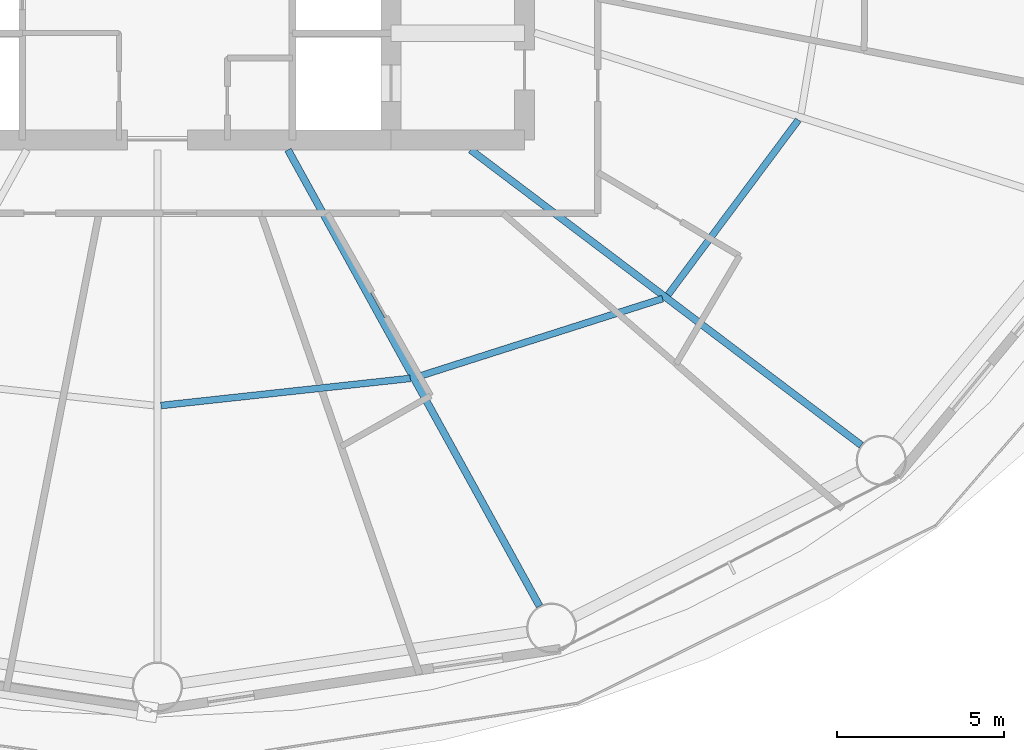
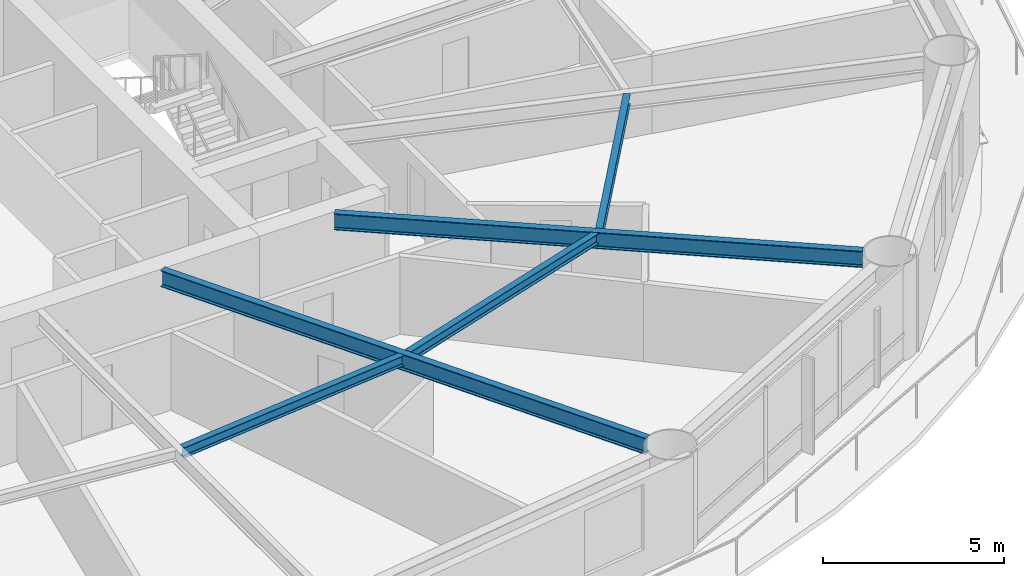
# One storey, part 6 of 27: 5 beams.
"""IFC4 building model written with IfcOpenShell, lengths in metres."""

from ifc_helpers import new_model, si_unit, direction, frame, origin, origin_2d, place, context, subcontext, project, spatial, i_section, extrude, material, material_profile, profile_set, type_object, element, save


model = new_model("IFC4")

# Units and contexts
model_context = context("Model", 3, precision=1e-05, world=origin(), true_north=direction((0.0, 1.0)))
body_context = subcontext(model_context, "Body", "Model", "MODEL_VIEW")
ifc_project = project(units=[si_unit("LENGTHUNIT", "METRE"), si_unit("AREAUNIT", "SQUARE_METRE"), si_unit("VOLUMEUNIT", "CUBIC_METRE"), si_unit("PLANEANGLEUNIT", "RADIAN"), si_unit("MASSUNIT", "GRAM", prefix="KILO")], contexts=[model_context])

# Site, building, storey
site_placement = place(None, origin())
site = spatial("IfcSite", under=ifc_project, at=site_placement, CompositionType="ELEMENT")
building_placement = place(site_placement, origin())
building = spatial("IfcBuilding", under=site, at=building_placement, Name="Sarneth Arch Tower", CompositionType="ELEMENT")
storey_placement = place(building_placement, frame((0.0, 0.0, 75.0)))
storey = spatial("IfcBuildingStorey", under=building, at=storey_placement, Name="L18", CompositionType="ELEMENT", Elevation=75.0)

# Beams
ifc_material_1 = material(Name="Steel S355", Category="steel")
ifc_material_profile_1 = material_profile(ifc_material_1, i_section(OverallWidth=0.202880859375, OverallDepth=0.346923828125, WebThickness=0.0078125, FlangeThickness=0.013427734375, FilletRadius=0.014892578125, at=origin_2d()), Name="W360x64")
ifc_profile_set_1 = profile_set([ifc_material_profile_1], Name="Steel S355")
beam_type_1 = type_object("IfcBeamType", Name="BM-JOIST-360C", PredefinedType="JOIST", material=ifc_profile_set_1)
beam_1_placement = place(storey_placement, frame((48.1064453125, 27.236572265625, 3.076416015625), z_axis=(0.994129966112, 0.108192469602, 0.0), x_axis=(-0.108192469602, 0.994129966112, 0.0)))
element("IfcBeam", 1, at=beam_1_placement, inside=storey, type_object=beam_type_1, Name="L18 Secondary floor joist 13", PredefinedType="JOIST", context=body_context, shape_type="SweptSolid", body=[
    extrude(i_section(OverallWidth=0.202880859375, OverallDepth=0.346923828125, WebThickness=0.0078125, FlangeThickness=0.013427734375, FilletRadius=0.014892578125, at=origin_2d()), origin(), (0.0, 0.0, 1.0), 7.5166015625),
])
beam_2_placement = place(storey_placement, frame((55.787109375, 28.093994140625, 3.076416015625), z_axis=(0.95266836992, 0.304011475036, 0.0), x_axis=(-0.304011475036, 0.95266836992, 0.0)))
element("IfcBeam", 2, at=beam_2_placement, inside=storey, type_object=beam_type_1, Name="L18 Secondary floor joist 14", PredefinedType="JOIST", context=body_context, shape_type="SweptSolid", body=[
    extrude(i_section(OverallWidth=0.202880859375, OverallDepth=0.346923828125, WebThickness=0.0078125, FlangeThickness=0.013427734375, FilletRadius=0.014892578125, at=origin_2d()), origin(), (0.0, 0.0, 1.0), 7.720703125),
])
beam_3_placement = place(storey_placement, frame((63.308349609375, 30.5595703125, 3.076416015625), z_axis=(0.597700490469, 0.801719479428, 0.0), x_axis=(-0.801719479428, 0.597700490469, 0.0)))
element("IfcBeam", 3, at=beam_3_placement, inside=storey, type_object=beam_type_1, Name="L18 Secondary floor joist 15", PredefinedType="JOIST", context=body_context, shape_type="SweptSolid", body=[
    extrude(i_section(OverallWidth=0.202880859375, OverallDepth=0.346923828125, WebThickness=0.0078125, FlangeThickness=0.013427734375, FilletRadius=0.014892578125, at=origin_2d()), origin(), (0.0, 0.0, 1.0), 6.5302734375),
])
ifc_material_2 = material(Name="Steel S355", Category="steel")
ifc_material_profile_2 = material_profile(ifc_material_2, i_section(OverallWidth=0.214111328125, OverallDepth=0.549072265625, WebThickness=0.0146484375, FlangeThickness=0.023681640625, FilletRadius=0.01806640625, at=origin_2d()), Name="W530x138")
ifc_profile_set_2 = profile_set([ifc_material_profile_2], Name="Steel S355")
beam_type_2 = type_object("IfcBeamType", Name="BM-RAD-530A", PredefinedType="BEAM", material=ifc_profile_set_2)
beam_4_placement = place(storey_placement, frame((51.91455078125, 34.89990234375, 2.9755859375), z_axis=(0.482841370957, -0.875707833979, 0.0), x_axis=(0.875707833979, 0.482841370957, 0.0)))
element("IfcBeam", 4, at=beam_4_placement, inside=storey, type_object=beam_type_2, Name="L18 Radial floor girder 14", PredefinedType="BEAM", context=body_context, shape_type="SweptSolid", body=[
    extrude(i_section(OverallWidth=0.214111328125, OverallDepth=0.549072265625, WebThickness=0.0146484375, FlangeThickness=0.023681640625, FilletRadius=0.01806640625, at=origin_2d()), origin(), (0.0, 0.0, 1.0), 15.618408203125),
])
beam_5_placement = place(storey_placement, frame((57.390380859375, 34.89990234375, 2.9755859375), z_axis=(0.79765464731, -0.603114469753, 0.0), x_axis=(0.603114469753, 0.79765464731, 0.0)))
element("IfcBeam", 5, at=beam_5_placement, inside=storey, type_object=beam_type_2, Name="L18 Radial floor girder 15", PredefinedType="BEAM", context=body_context, shape_type="SweptSolid", body=[
    extrude(i_section(OverallWidth=0.214111328125, OverallDepth=0.549072265625, WebThickness=0.0146484375, FlangeThickness=0.023681640625, FilletRadius=0.01806640625, at=origin_2d()), origin(), (0.0, 0.0, 1.0), 14.677978515625),
])

save(model, "model.ifc")
